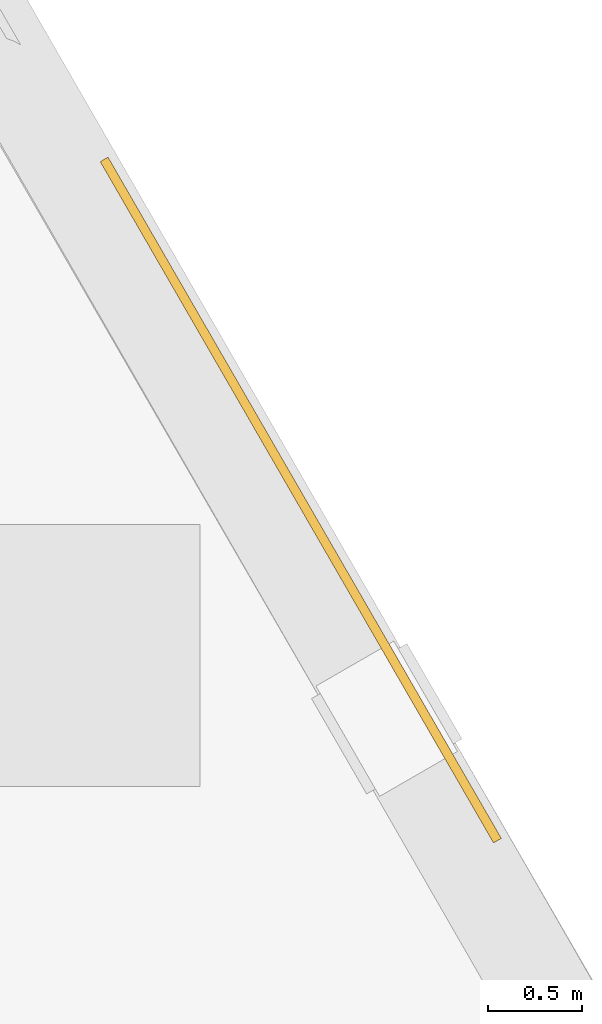
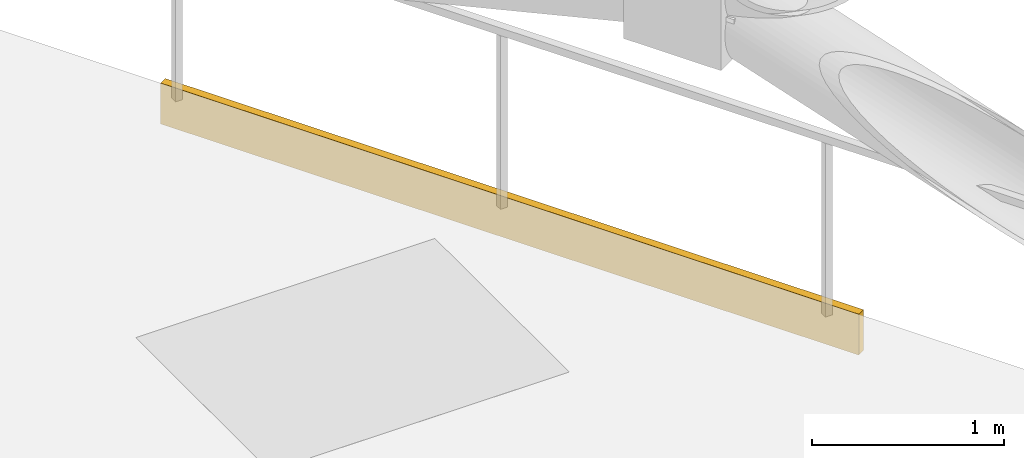
# One storey, part 19 of 19: 1 covering.
"""IFC4 building model written with IfcOpenShell, lengths in metres."""

from ifc_helpers import new_model, si_unit, direction, frame, origin, origin_2d, place, context, subcontext, project, spatial, rectangle, extrude, material, layer, layer_set, type_object, element, save


model = new_model("IFC4")

# Units and contexts
model_context = context("Model", 3, precision=1e-05, world=origin(), true_north=direction((0.0, 1.0)))
body_context = subcontext(model_context, "Body", "Model", "MODEL_VIEW")
ifc_project = project(units=[si_unit("LENGTHUNIT", "METRE"), si_unit("AREAUNIT", "SQUARE_METRE"), si_unit("VOLUMEUNIT", "CUBIC_METRE"), si_unit("PLANEANGLEUNIT", "RADIAN"), si_unit("MASSUNIT", "GRAM", prefix="KILO")], contexts=[model_context])

# Site, building, storey
site_placement = place(None, origin())
site = spatial("IfcSite", under=ifc_project, at=site_placement, CompositionType="ELEMENT")
building_placement = place(site_placement, origin())
building = spatial("IfcBuilding", under=site, at=building_placement, Name="Zuhravey Tower", CompositionType="ELEMENT")
storey_placement = place(building_placement, frame((0.0, 0.0, 303.39990234375)))
storey = spatial("IfcBuildingStorey", under=building, at=storey_placement, Name="L77", CompositionType="ELEMENT", Elevation=303.39990234375)

# Covering
ifc_material = material(Name="Architectural GRC cladding panel")
ifc_layer = layer(ifc_material, 0.048095703125)
ifc_layer_set = layer_set([ifc_layer], Name="Architectural GRC cladding panel")
covering_type = type_object("IfcCoveringType", Name="Precast Girih Spandrel Cladding CLD2", PredefinedType="CLADDING", material=ifc_layer_set)
covering_placement = place(storey_placement, frame((59.458984375, 45.5439453125, -0.259765625), z_axis=(0.0, 0.0, 1.0), x_axis=(0.5, -0.866025403784, 0.0)))
element("IfcCovering", 1, at=covering_placement, inside=storey, type_object=covering_type, Name="L77 Face 1 Girih Spandrel Cladding CLD2", PredefinedType="CLADDING", context=body_context, shape_type="SweptSolid", body=[
    extrude(rectangle(XDim=4.199951171875, YDim=0.048095703125, at=origin_2d()), origin(), (0.0, 0.0, 1.0), 0.260009765625),
])

save(model, "model.ifc")
